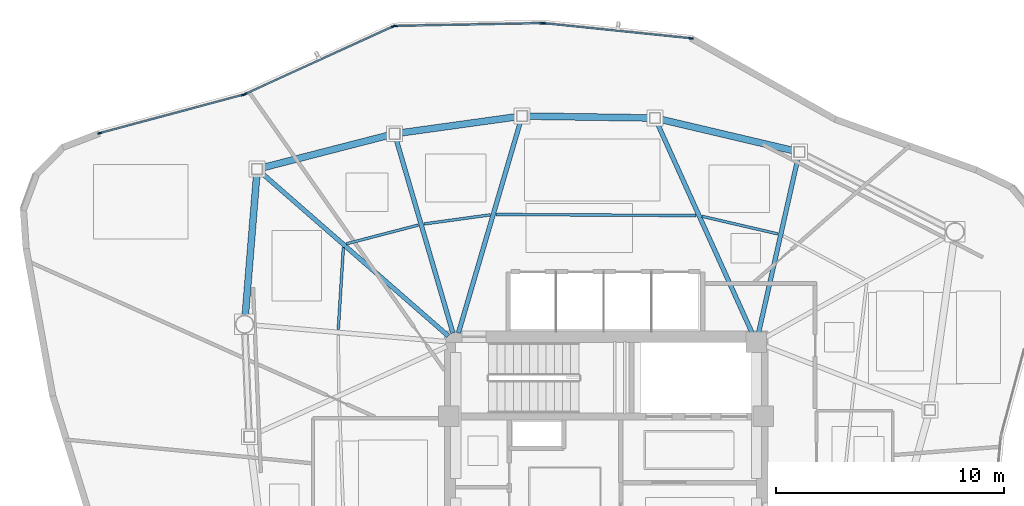
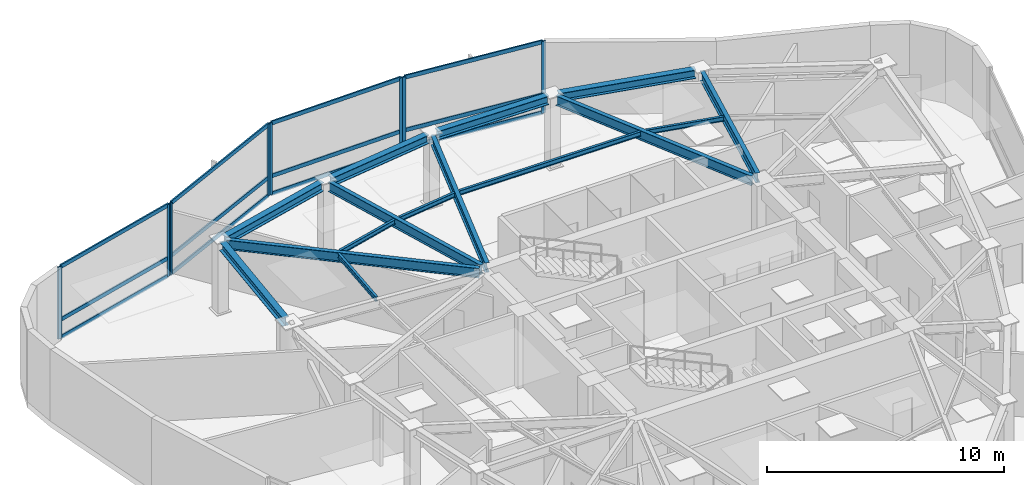
# One storey, part 5 of 12: 20 members, 15 beams, 4 elements without a shape of their own.
"""IFC4 building model written with IfcOpenShell, lengths in metres."""

import ifcopenshell
import ifcopenshell.guid

model = None  # the IFC model being written
_history = None  # IfcOwnerHistory: only IFC2X3 demands one
_inside = {}  # id of a spatial element -> (the spatial element, [elements in it])
_under = {}  # id of a project, library or spatial element -> (it, [spatial elements below it])
_declared = {}  # id of a project -> (the project, [libraries it declares])
_typed = {}  # id of a type object -> (the type object, [elements of that type])
_made_of = {}  # id of a material, layer set ... -> (it, [elements and type objects made of it])


def new_model(schema):
    """Start an empty IFC model of exactly this schema.

    Asked for "IFC4X3", IfcOpenShell would pick the latest addendum, in which some entities
    have other attributes; the version numbers below select the first issue.
    IFC2X3 requires an IfcOwnerHistory on every rooted entity: one is made here for all.
    """
    global model, _history
    if schema == "IFC4X3":
        model = ifcopenshell.file(schema_version=(4, 3, 0, 0))
    else:
        model = ifcopenshell.file(schema=schema)
    _inside.clear()
    _under.clear()
    _declared.clear()
    _typed.clear()
    _made_of.clear()
    _history = None
    if model.schema == "IFC2X3":
        org = make("IfcOrganization", Name="unknown")
        user = make(
            "IfcPersonAndOrganization",
            ThePerson=make("IfcPerson", FamilyName="unknown"),
            TheOrganization=org,
        )
        app = make(
            "IfcApplication",
            ApplicationDeveloper=org,
            Version="unknown",
            ApplicationFullName="unknown",
            ApplicationIdentifier="unknown",
        )
        _history = make(
            "IfcOwnerHistory",
            OwningUser=user,
            OwningApplication=app,
            ChangeAction="ADDED",
            CreationDate=0,
        )
    return model


def make(cls, **values):
    """One entity of the class cls with the attributes given. An attribute that is None is left unset."""
    return model.create_entity(
        cls, **{name: value for name, value in values.items() if value is not None}
    )


def rooted(cls, **values):
    """An entity with a GlobalId (a new one), such as an element, a storey or a relation."""
    return make(cls, GlobalId=ifcopenshell.guid.new(), OwnerHistory=_history, **values)


def si_unit(unit_type, name, prefix=None):
    """IfcSIUnit, for example si_unit("LENGTHUNIT", "METRE", prefix="MILLI")."""
    return make("IfcSIUnit", UnitType=unit_type, Prefix=prefix, Name=name)


def assignment(units):
    """IfcUnitAssignment: the units of a project."""
    return None if units is None else make("IfcUnitAssignment", Units=units)


def point(xyz):
    """IfcCartesianPoint."""
    return None if xyz is None else make("IfcCartesianPoint", Coordinates=xyz)


def direction(xyz):
    """IfcDirection."""
    return None if xyz is None else make("IfcDirection", DirectionRatios=xyz)


def frame(location, z_axis=None, x_axis=None):
    """IfcAxis2Placement3D, a coordinate frame: its origin and axes. An axis left out is left unset."""
    return make(
        "IfcAxis2Placement3D",
        Location=point(location),
        Axis=direction(z_axis),
        RefDirection=direction(x_axis),
    )


def frame_2d(location, x_axis=None):
    """IfcAxis2Placement2D, a coordinate frame in the plane: its origin and x axis."""
    return make(
        "IfcAxis2Placement2D", Location=point(location), RefDirection=direction(x_axis)
    )


def origin():
    """The frame at (0, 0, 0) with its axes left unset."""
    return frame((0.0, 0.0, 0.0))


def origin_2d():
    """The frame at (0, 0) in the plane with its x axis left unset."""
    return frame_2d((0.0, 0.0))


def place(relative_to, where):
    """IfcLocalPlacement: puts the frame where relative to a parent placement (None: the world)."""
    return make(
        "IfcLocalPlacement", PlacementRelTo=relative_to, RelativePlacement=where
    )


def context(
    kind, dimensions, precision=None, world=None, true_north=None, identifier=None
):
    """IfcGeometricRepresentationContext, for example the 3D "Model" context."""
    return make(
        "IfcGeometricRepresentationContext",
        ContextIdentifier=identifier,
        ContextType=kind,
        CoordinateSpaceDimension=dimensions,
        Precision=precision,
        WorldCoordinateSystem=world,
        TrueNorth=true_north,
    )


def subcontext(parent, identifier, kind, view, scale=None):
    """IfcGeometricRepresentationSubContext, for example "Body" below "Model"."""
    return make(
        "IfcGeometricRepresentationSubContext",
        ContextIdentifier=identifier,
        ContextType=kind,
        ParentContext=parent,
        TargetScale=scale,
        TargetView=view,
    )


def project(units=None, contexts=None):
    """IfcProject with its units and contexts."""
    return rooted(
        "IfcProject",
        Name="project",
        RepresentationContexts=contexts,
        UnitsInContext=assignment(units),
    )


def spatial(cls, under=None, at=None, **own):
    """A site, building, storey or space (cls), placed at a placement, below another one or the project."""
    s = rooted(cls, ObjectPlacement=at, **own)
    if under is not None:
        _under.setdefault(under.id(), (under, []))[1].append(s)
    return s


def profile(cls, at=None, kind="AREA", **sizes):
    """A parametric profile (cls). Its sizes go by their IFC names, for example OverallWidth=200.0."""
    return make(cls, ProfileType=kind, Position=at, **sizes)


def hollow_rectangle(**sizes):
    """IfcRectangleHollowProfileDef."""
    return profile("IfcRectangleHollowProfileDef", **sizes)


def i_section(**sizes):
    """IfcIShapeProfileDef."""
    return profile("IfcIShapeProfileDef", **sizes)


def extrude(swept, where, along, depth):
    """IfcExtrudedAreaSolid: the profile swept, set in the frame where, extruded along a direction by depth."""
    return make(
        "IfcExtrudedAreaSolid",
        SweptArea=swept,
        Position=where,
        ExtrudedDirection=direction(along),
        Depth=depth,
    )


def shape(context_of_items, identifier, shape_type, items):
    """IfcShapeRepresentation: the items that make up one representation, for example the "Body"."""
    return make(
        "IfcShapeRepresentation",
        ContextOfItems=context_of_items,
        RepresentationIdentifier=identifier,
        RepresentationType=shape_type,
        Items=items,
    )


def source(mapping_origin, context_of_items, identifier, shape_type, items):
    """IfcRepresentationMap: a shape defined once, which mapped items show again and again."""
    return make(
        "IfcRepresentationMap",
        MappingOrigin=mapping_origin,
        MappedRepresentation=shape(context_of_items, identifier, shape_type, items),
    )


def transform(
    local_origin,
    x_axis=None,
    y_axis=None,
    z_axis=None,
    scale=None,
    scale2=None,
    scale3=None,
    uniform=True,
):
    """IfcCartesianTransformationOperator3D, or its non-uniform kind. x_axis, y_axis, z_axis: its Axis1, 2, 3."""
    if uniform:
        return make(
            "IfcCartesianTransformationOperator3D",
            Axis1=direction(x_axis),
            Axis2=direction(y_axis),
            LocalOrigin=point(local_origin),
            Scale=scale,
            Axis3=direction(z_axis),
        )
    return make(
        "IfcCartesianTransformationOperator3DnonUniform",
        Axis1=direction(x_axis),
        Axis2=direction(y_axis),
        LocalOrigin=point(local_origin),
        Scale=scale,
        Axis3=direction(z_axis),
        Scale2=scale2,
        Scale3=scale3,
    )


def mapped(mapping_source, mapping_target):
    """IfcMappedItem: shows the shape of a source again, moved by a transform."""
    return make(
        "IfcMappedItem", MappingSource=mapping_source, MappingTarget=mapping_target
    )


def material(Name=None, Category=None):
    """IfcMaterial."""
    return make("IfcMaterial", Name=Name, Category=Category)


def layer(
    of_material, thickness, ventilated=None, Name=None, Category=None, Priority=None
):
    """IfcMaterialLayer: one layer of a wall or slab, of a material (None: an air gap)."""
    return make(
        "IfcMaterialLayer",
        Material=of_material,
        LayerThickness=thickness,
        IsVentilated=ventilated,
        Name=Name,
        Category=Category,
        Priority=Priority,
    )


def layer_set(layers, Name=None):
    """IfcMaterialLayerSet."""
    return make("IfcMaterialLayerSet", MaterialLayers=layers, LayerSetName=Name)


def material_profile(
    of_material, cross_section, Name=None, Category=None, Priority=None
):
    """IfcMaterialProfile: a cross section and its material."""
    return make(
        "IfcMaterialProfile",
        Name=Name,
        Material=of_material,
        Profile=cross_section,
        Priority=Priority,
        Category=Category,
    )


def profile_set(profiles, Name=None, composite=None):
    """IfcMaterialProfileSet."""
    return make(
        "IfcMaterialProfileSet",
        Name=Name,
        MaterialProfiles=profiles,
        CompositeProfile=composite,
    )


def made_of(thing, what):
    """Note that an element or type object is made of a material, layer set ...; save() writes the relation."""
    if what is not None:
        _made_of.setdefault(what.id(), (what, []))[1].append(thing)
    return thing


def type_object(cls, material=None, **own):
    """A type object (cls), such as IfcWallType, which elements share."""
    return made_of(rooted(cls, **own), material)


def type_shapes(of_type, sources):
    """Give a type object the sources (RepresentationMaps) that its elements show as mapped items."""
    of_type.RepresentationMaps = sources


def element(
    cls,
    number,
    at=None,
    inside=None,
    cuts=None,
    type_object=None,
    material=None,
    context=None,
    identifier="Body",
    shape_type=None,
    held_by="IfcProductDefinitionShape",
    body=None,
    shapes=None,
    **own,
):
    """One element of the class cls, such as IfcWall. Its Tag is "e" and its number.

    at: its placement. inside: the storey or other place that contains it. cuts: it is an
    opening in that element (IfcRelVoidsElement). A single representation is given by context,
    identifier, shape_type and body (its items); several are given by shapes. held_by: the class
    of the entity that holds the representations. save() writes the other relations.
    """
    e = rooted(cls, Tag="e%d" % number, ObjectPlacement=at, **own)
    if body is not None:
        shapes = [shape(context, identifier, shape_type, body)]
    if shapes is not None:
        e.Representation = make(held_by, Representations=shapes)
    if inside is not None:
        _inside.setdefault(inside.id(), (inside, []))[1].append(e)
    if cuts is not None:
        rooted(
            "IfcRelVoidsElement", RelatingBuildingElement=cuts, RelatedOpeningElement=e
        )
    if type_object is not None:
        _typed.setdefault(type_object.id(), (type_object, []))[1].append(e)
    return made_of(e, material)


def aggregate(whole, parts):
    """IfcRelAggregates: a whole, such as a stair, and the parts it consists of."""
    return rooted("IfcRelAggregates", RelatingObject=whole, RelatedObjects=parts)


def save(model, path):
    """Write the relations noted so far, then the file.

    IfcRelAggregates (storeys below a building ...), IfcRelContainedInSpatialStructure (elements
    in a storey), IfcRelDefinesByType, IfcRelAssociatesMaterial and IfcRelDeclares: one each for
    every whole, place, type object, material and project.
    """
    for whole, parts in _under.values():
        aggregate(whole, parts)
    for where, things in _inside.values():
        rooted(
            "IfcRelContainedInSpatialStructure",
            RelatedElements=things,
            RelatingStructure=where,
        )
    for kind, things in _typed.values():
        rooted("IfcRelDefinesByType", RelatedObjects=things, RelatingType=kind)
    for what, things in _made_of.values():
        rooted("IfcRelAssociatesMaterial", RelatedObjects=things, RelatingMaterial=what)
    for by, libraries in _declared.values():
        rooted("IfcRelDeclares", RelatingContext=by, RelatedDefinitions=libraries)
    model.write(path)


model = new_model("IFC4")

# Units and contexts
model_context = context("Model", 3, precision=1e-05, world=origin(), true_north=direction((0.0, 1.0)))
body_context = subcontext(model_context, "Body", "Model", "MODEL_VIEW")
ifc_project = project(units=[si_unit("LENGTHUNIT", "METRE"), si_unit("AREAUNIT", "SQUARE_METRE"), si_unit("VOLUMEUNIT", "CUBIC_METRE"), si_unit("PLANEANGLEUNIT", "RADIAN"), si_unit("MASSUNIT", "GRAM", prefix="KILO")], contexts=[model_context])

# Site, building, storey
site_placement = place(None, origin())
site = spatial("IfcSite", under=ifc_project, at=site_placement, CompositionType="ELEMENT")
building_placement = place(site_placement, origin())
building = spatial("IfcBuilding", under=site, at=building_placement, Name="Tavelor Broadcast Tower", CompositionType="ELEMENT")
storey_placement = place(building_placement, frame((0.0, 0.0, 285.5)))
storey = spatial("IfcBuildingStorey", under=building, at=storey_placement, Name="L68", CompositionType="ELEMENT", Elevation=285.5)

# Beams
ifc_material_1 = material(Name="Steel S355", Category="steel")
ifc_material_profile_1 = material_profile(ifc_material_1, i_section(OverallWidth=0.1201171875, OverallDepth=0.239990234375, WebThickness=0.006103515625, FlangeThickness=0.009765625, at=origin_2d()), Name="IPE 240")
ifc_profile_set_1 = profile_set([ifc_material_profile_1], Name="Steel S355")
beam_type_1 = type_object("IfcBeamType", Name="Composite Floor Joist T7 IPE 240", PredefinedType="JOIST", material=ifc_profile_set_1)
beam_1_placement = place(storey_placement, frame((57.54248046875, 55.96337890625, 3.580078125), z_axis=(-0.974044982297, 0.226354528257, 0.0), x_axis=(-0.226354528257, -0.974044982297, 0.0)))
element("IfcBeam", 1, at=beam_1_placement, inside=storey, type_object=beam_type_1, Name="L68 Secondary Composite Floor Joist 14", PredefinedType="JOIST", context=body_context, shape_type="SweptSolid", body=[
    extrude(i_section(OverallWidth=0.1201171875, OverallDepth=0.239990234375, WebThickness=0.006103515625, FlangeThickness=0.009765625, at=origin_2d()), origin(), (0.0, 0.0, 1.0), 3.42236328125),
])
beam_2_placement = place(storey_placement, frame((53.954345703125, 56.76806640625, 3.580078125), z_axis=(-0.999984057593, 0.005646641549, 0.0), x_axis=(-0.005646641549, -0.999984057593, 0.0)))
element("IfcBeam", 2, at=beam_2_placement, inside=storey, type_object=beam_type_1, Name="L68 Secondary Composite Floor Joist 15", PredefinedType="JOIST", context=body_context, shape_type="SweptSolid", body=[
    extrude(i_section(OverallWidth=0.1201171875, OverallDepth=0.239990234375, WebThickness=0.006103515625, FlangeThickness=0.009765625, at=origin_2d()), origin(), (0.0, 0.0, 1.0), 8.777099609375),
])
beam_3_placement = place(storey_placement, frame((44.920654296875, 56.80078125, 3.580078125), z_axis=(-0.990691592416, -0.136125562317, 0.0), x_axis=(0.136125562317, -0.990691592416, 0.0)))
element("IfcBeam", 3, at=beam_3_placement, inside=storey, type_object=beam_type_1, Name="L68 Secondary Composite Floor Joist 16", PredefinedType="JOIST", context=body_context, shape_type="SweptSolid", body=[
    extrude(i_section(OverallWidth=0.1201171875, OverallDepth=0.239990234375, WebThickness=0.006103515625, FlangeThickness=0.009765625, at=origin_2d()), origin(), (0.0, 0.0, 1.0), 2.937744140625),
])
beam_4_placement = place(storey_placement, frame((41.757568359375, 56.35107421875, 3.580078125), z_axis=(-0.967742888196, -0.251939878435, 0.0), x_axis=(0.251939878435, -0.967742888196, 0.0)))
element("IfcBeam", 4, at=beam_4_placement, inside=storey, type_object=beam_type_1, Name="L68 Secondary Composite Floor Joist 17", PredefinedType="JOIST", context=body_context, shape_type="SweptSolid", body=[
    extrude(i_section(OverallWidth=0.1201171875, OverallDepth=0.239990234375, WebThickness=0.006103515625, FlangeThickness=0.009765625, at=origin_2d()), origin(), (0.0, 0.0, 1.0), 3.2578125),
])
beam_5_placement = place(storey_placement, frame((38.471923828125, 55.368896484375, 3.580078125), z_axis=(-0.062188497897, -0.998064422134, 0.0), x_axis=(0.998064422134, -0.062188497897, 0.0)))
element("IfcBeam", 5, at=beam_5_placement, inside=storey, type_object=beam_type_1, Name="L68 Secondary Composite Floor Joist 18", PredefinedType="JOIST", context=body_context, shape_type="SweptSolid", body=[
    extrude(i_section(OverallWidth=0.1201171875, OverallDepth=0.239990234375, WebThickness=0.006103515625, FlangeThickness=0.009765625, at=origin_2d()), origin(), (0.0, 0.0, 1.0), 3.60400390625),
])
ifc_material_profile_2 = material_profile(ifc_material_1, i_section(OverallWidth=0.300048828125, OverallDepth=0.43994140625, WebThickness=0.011474609375, FlangeThickness=0.02099609375, at=origin_2d()), Name="HEA 450")
ifc_profile_set_2 = profile_set([ifc_material_profile_2], Name="Steel S355")
beam_type_2 = type_object("IfcBeamType", Name="Perimeter Spandrel Beam T7 HEA 450", PredefinedType="SPANDREL", material=ifc_profile_set_2)
beam_6_placement = place(storey_placement, frame((58.251953125, 59.6123046875, 3.47998046875), z_axis=(-0.973341210947, 0.229361912863, 0.0), x_axis=(-0.229361912863, -0.973341210947, 0.0)))
element("IfcBeam", 6, at=beam_6_placement, inside=storey, type_object=beam_type_2, Name="L68 Framed-Tube Ring Spandrel 14", PredefinedType="SPANDREL", context=body_context, shape_type="SweptSolid", body=[
    extrude(i_section(OverallWidth=0.300048828125, OverallDepth=0.43994140625, WebThickness=0.011474609375, FlangeThickness=0.02099609375, at=origin_2d()), origin(), (0.0, 0.0, 1.0), 6.0322265625),
])
beam_7_placement = place(storey_placement, frame((51.906982421875, 61.054443359375, 3.47998046875), z_axis=(-0.999890103457, 0.014825012939, 0.0), x_axis=(-0.014825012939, -0.999890103457, 0.0)))
element("IfcBeam", 7, at=beam_7_placement, inside=storey, type_object=beam_type_2, Name="L68 Framed-Tube Ring Spandrel 15", PredefinedType="SPANDREL", context=body_context, shape_type="SweptSolid", body=[
    extrude(i_section(OverallWidth=0.300048828125, OverallDepth=0.43994140625, WebThickness=0.011474609375, FlangeThickness=0.02099609375, at=origin_2d()), origin(), (0.0, 0.0, 1.0), 5.35205078125),
])
beam_8_placement = place(storey_placement, frame((46.077880859375, 61.104248046875, 3.47998046875), z_axis=(-0.99051816585, -0.137381815101, 0.0), x_axis=(0.137381815101, -0.99051816585, 0.0)))
element("IfcBeam", 8, at=beam_8_placement, inside=storey, type_object=beam_type_2, Name="L68 Framed-Tube Ring Spandrel 16", PredefinedType="SPANDREL", context=body_context, shape_type="SweptSolid", body=[
    extrude(i_section(OverallWidth=0.300048828125, OverallDepth=0.43994140625, WebThickness=0.011474609375, FlangeThickness=0.02099609375, at=origin_2d()), origin(), (0.0, 0.0, 1.0), 5.17138671875),
])
beam_9_placement = place(storey_placement, frame((40.485595703125, 60.301025390625, 3.47998046875), z_axis=(-0.968436978706, -0.249258537014, 0.0), x_axis=(0.249258537014, -0.968436978706, 0.0)))
element("IfcBeam", 9, at=beam_9_placement, inside=storey, type_object=beam_type_2, Name="L68 Framed-Tube Ring Spandrel 17", PredefinedType="SPANDREL", context=body_context, shape_type="SweptSolid", body=[
    extrude(i_section(OverallWidth=0.300048828125, OverallDepth=0.43994140625, WebThickness=0.011474609375, FlangeThickness=0.02099609375, at=origin_2d()), origin(), (0.0, 0.0, 1.0), 5.74560546875),
])
beam_10_placement = place(storey_placement, frame((34.669677734375, 58.56982421875, 3.47998046875), z_axis=(-0.081085240328, -0.996707170538, 0.0), x_axis=(0.996707170538, -0.081085240328, 0.0)))
element("IfcBeam", 10, at=beam_10_placement, inside=storey, type_object=beam_type_2, Name="L68 Framed-Tube Ring Spandrel 18", PredefinedType="SPANDREL", context=body_context, shape_type="SweptSolid", body=[
    extrude(i_section(OverallWidth=0.300048828125, OverallDepth=0.43994140625, WebThickness=0.011474609375, FlangeThickness=0.02099609375, at=origin_2d()), origin(), (0.0, 0.0, 1.0), 6.20556640625),
])
ifc_material_profile_3 = material_profile(ifc_material_1, i_section(OverallWidth=0.199951171875, OverallDepth=0.5, WebThickness=0.01025390625, FlangeThickness=0.01611328125, at=origin_2d()), Name="IPE 500")
ifc_profile_set_3 = profile_set([ifc_material_profile_3], Name="Steel S355")
beam_type_3 = type_object("IfcBeamType", Name="Radial Floor Girder T7 IPE 500", PredefinedType="BEAM", material=ifc_profile_set_3)
beam_11_placement = place(storey_placement, frame((56.695068359375, 51.621337890625, 3.449951171875), z_axis=(0.22010521598, 0.975476137021, 0.0), x_axis=(-0.975476137021, 0.22010521598, 0.0)))
element("IfcBeam", 11, at=beam_11_placement, inside=storey, type_object=beam_type_3, Name="L68 Radial Primary Floor Girder 14", PredefinedType="BEAM", context=body_context, shape_type="SweptSolid", body=[
    extrude(i_section(OverallWidth=0.199951171875, OverallDepth=0.5, WebThickness=0.01025390625, FlangeThickness=0.01611328125, at=origin_2d()), origin(), (0.0, 0.0, 1.0), 7.895263671875),
])
beam_12_placement = place(storey_placement, frame((56.422119140625, 51.59375, 3.449951171875), z_axis=(-0.411897039455, 0.911230392869, 0.0), x_axis=(-0.911230392869, -0.411897039455, 0.0)))
element("IfcBeam", 12, at=beam_12_placement, inside=storey, type_object=beam_type_3, Name="L68 Radial Primary Floor Girder 15", PredefinedType="BEAM", context=body_context, shape_type="SweptSolid", body=[
    extrude(i_section(OverallWidth=0.199951171875, OverallDepth=0.5, WebThickness=0.01025390625, FlangeThickness=0.01611328125, at=origin_2d()), origin(), (0.0, 0.0, 1.0), 10.138427734375),
])
beam_13_placement = place(storey_placement, frame((43.521484375, 51.614501953125, 3.449951171875), z_axis=(0.281523398042, 0.959554363418, 0.0), x_axis=(-0.959554363418, 0.281523398042, 0.0)))
element("IfcBeam", 13, at=beam_13_placement, inside=storey, type_object=beam_type_3, Name="L68 Radial Primary Floor Girder 16", PredefinedType="BEAM", context=body_context, shape_type="SweptSolid", body=[
    extrude(i_section(OverallWidth=0.199951171875, OverallDepth=0.5, WebThickness=0.01025390625, FlangeThickness=0.01611328125, at=origin_2d()), origin(), (0.0, 0.0, 1.0), 9.68408203125),
])
beam_14_placement = place(storey_placement, frame((43.278564453125, 51.614501953125, 3.449951171875), z_axis=(-0.280965508075, 0.959717866496, 0.0), x_axis=(-0.959717866496, -0.280965508075, 0.0)))
element("IfcBeam", 14, at=beam_14_placement, inside=storey, type_object=beam_type_3, Name="L68 Radial Primary Floor Girder 17", PredefinedType="BEAM", context=body_context, shape_type="SweptSolid", body=[
    extrude(i_section(OverallWidth=0.199951171875, OverallDepth=0.5, WebThickness=0.01025390625, FlangeThickness=0.01611328125, at=origin_2d()), origin(), (0.0, 0.0, 1.0), 8.87353515625),
])
beam_15_placement = place(storey_placement, frame((43.07470703125, 51.484130859375, 3.449951171875), z_axis=(-0.753133106232, 0.657868166351, 0.0), x_axis=(-0.657868166351, -0.753133106232, 0.0)))
element("IfcBeam", 15, at=beam_15_placement, inside=storey, type_object=beam_type_3, Name="L68 Radial Primary Floor Girder 18", PredefinedType="BEAM", context=body_context, shape_type="SweptSolid", body=[
    extrude(i_section(OverallWidth=0.199951171875, OverallDepth=0.5, WebThickness=0.01025390625, FlangeThickness=0.01611328125, at=origin_2d()), origin(), (0.0, 0.0, 1.0), 10.894287109375),
])

# Curtain wall, members
ifc_material_2 = material(Name="Architectural Anodized Aluminium", Category="aluminium")
ifc_layer = layer(ifc_material_2, 0.199951171875)
ifc_layer_set = layer_set([ifc_layer], Name="Architectural Anodized Aluminium")
curtain_wall_type = type_object("IfcCurtainWallType", Name="Tower High-Zone Triple-Glazed Curtain Wall CW04", PredefinedType="NOTDEFINED", material=ifc_layer_set)
curtain_wall_1_placement = place(storey_placement, origin())
curtain_wall_1 = element("IfcCurtainWall", 16, at=curtain_wall_1_placement, inside=storey, type_object=curtain_wall_type, Name="L68 Curtain Wall CW04 Run 753", PredefinedType="NOTDEFINED")
ifc_material_profile_4 = material_profile(ifc_material_2, hollow_rectangle(XDim=0.070068359375, YDim=0.199951171875, WallThickness=0.02197265625, at=origin_2d()), Name="RHS 70x200x22")
ifc_profile_set_4 = profile_set([ifc_material_profile_4], Name="Architectural Anodized Aluminium")
member_type_1 = type_object("IfcMemberType", Name="CW04 Extruded Aluminium Mullion 70x200", PredefinedType="MULLION", material=ifc_profile_set_4)
shared_shape_1 = source(origin(), body_context, "Body", "SweptSolid", [
    extrude(hollow_rectangle(XDim=0.070068359375, YDim=0.199951171875, WallThickness=0.02197265625, at=origin_2d()), origin(), (0.0, 0.0, 1.0), 3.699951171875),
])
type_shapes(member_type_1, [shared_shape_1])
member_1_placement = place(storey_placement, frame((53.722412109375, 64.546875, 0.0), z_axis=(0.0, 0.0, 1.0), x_axis=(-0.102352575269, -0.994748184384, 0.0)))
member_1 = element("IfcMember", 17, at=member_1_placement, type_object=member_type_1, Name="CW04 mullion 1", PredefinedType="MULLION", context=body_context, shape_type="MappedRepresentation", body=[
    mapped(shared_shape_1, transform((0.0, 0.0, 0.0), scale=1.0)),
])
member_2_placement = place(storey_placement, frame((47.296875, 65.2080078125, 0.0), z_axis=(0.0, 0.0, 1.0), x_axis=(-0.102352575269, -0.994748184384, 0.0)))
member_2 = element("IfcMember", 18, at=member_2_placement, type_object=member_type_1, Name="CW04 mullion 2", PredefinedType="MULLION", context=body_context, shape_type="MappedRepresentation", body=[
    mapped(shared_shape_1, transform((0.0, 0.0, 0.0), scale=1.0)),
])

curtain_wall_2_placement = place(storey_placement, origin())
curtain_wall_2 = element("IfcCurtainWall", 19, at=curtain_wall_2_placement, inside=storey, type_object=curtain_wall_type, Name="L68 Curtain Wall CW04 Run 754", PredefinedType="NOTDEFINED")
member_3_placement = place(storey_placement, frame((47.197265625, 65.212158203125, 0.0), z_axis=(0.0, 0.0, 1.0), x_axis=(0.018758309711, -0.999824047429, 0.0)))
member_3 = element("IfcMember", 20, at=member_3_placement, type_object=member_type_1, Name="CW04 mullion 1", PredefinedType="MULLION", context=body_context, shape_type="MappedRepresentation", body=[
    mapped(shared_shape_1, transform((0.0, 0.0, 0.0), scale=1.0)),
])
member_4_placement = place(storey_placement, frame((40.75390625, 65.09130859375, 0.0), z_axis=(0.0, 0.0, 1.0), x_axis=(0.018758309711, -0.999824047429, 0.0)))
member_4 = element("IfcMember", 21, at=member_4_placement, type_object=member_type_1, Name="CW04 mullion 2", PredefinedType="MULLION", context=body_context, shape_type="MappedRepresentation", body=[
    mapped(shared_shape_1, transform((0.0, 0.0, 0.0), scale=1.0)),
])

curtain_wall_3_placement = place(storey_placement, origin())
curtain_wall_3 = element("IfcCurtainWall", 22, at=curtain_wall_3_placement, inside=storey, type_object=curtain_wall_type, Name="L68 Curtain Wall CW04 Run 755", PredefinedType="NOTDEFINED")
member_5_placement = place(storey_placement, frame((40.658447265625, 65.069580078125, 0.0), z_axis=(0.0, 0.0, 1.0), x_axis=(0.415461652589, -0.909610694324, 0.0)))
member_5 = element("IfcMember", 23, at=member_5_placement, type_object=member_type_1, Name="CW04 mullion 1", PredefinedType="MULLION", context=body_context, shape_type="MappedRepresentation", body=[
    mapped(shared_shape_1, transform((0.0, 0.0, 0.0), scale=1.0)),
])
member_6_placement = place(storey_placement, frame((34.15966796875, 62.101318359375, 0.0), z_axis=(0.0, 0.0, 1.0), x_axis=(0.415461652589, -0.909610694324, 0.0)))
member_6 = element("IfcMember", 24, at=member_6_placement, type_object=member_type_1, Name="CW04 mullion 2", PredefinedType="MULLION", context=body_context, shape_type="MappedRepresentation", body=[
    mapped(shared_shape_1, transform((0.0, 0.0, 0.0), scale=1.0)),
])

curtain_wall_4_placement = place(storey_placement, origin())
curtain_wall_4 = element("IfcCurtainWall", 25, at=curtain_wall_4_placement, inside=storey, type_object=curtain_wall_type, Name="L68 Curtain Wall CW04 Run 756", PredefinedType="NOTDEFINED")
member_7_placement = place(storey_placement, frame((34.06591796875, 62.067626953125, 0.0), z_axis=(0.0, 0.0, 1.0), x_axis=(0.258433576236, -0.966029029933, 0.0)))
member_7 = element("IfcMember", 26, at=member_7_placement, type_object=member_type_1, Name="CW04 mullion 1", PredefinedType="MULLION", context=body_context, shape_type="MappedRepresentation", body=[
    mapped(shared_shape_1, transform((0.0, 0.0, 0.0), scale=1.0)),
])
member_8_placement = place(storey_placement, frame((27.78564453125, 60.387451171875, 0.0), z_axis=(0.0, 0.0, 1.0), x_axis=(0.258433576236, -0.966029029933, 0.0)))
member_8 = element("IfcMember", 27, at=member_8_placement, type_object=member_type_1, Name="CW04 mullion 2", PredefinedType="MULLION", context=body_context, shape_type="MappedRepresentation", body=[
    mapped(shared_shape_1, transform((0.0, 0.0, 0.0), scale=1.0)),
])

# Member
ifc_material_profile_5 = material_profile(ifc_material_2, hollow_rectangle(XDim=0.070068359375, YDim=0.199951171875, WallThickness=0.02197265625, at=origin_2d()), Name="RHS 70x200x22")
ifc_profile_set_5 = profile_set([ifc_material_profile_5], Name="Architectural Anodized Aluminium")
member_type_2 = type_object("IfcMemberType", Name="CW04 Extruded Aluminium Transom 70x200", PredefinedType="USERDEFINED", material=ifc_profile_set_5)
shared_shape_2 = source(origin(), body_context, "Body", "SweptSolid", [
    extrude(hollow_rectangle(XDim=0.070068359375, YDim=0.199951171875, WallThickness=0.02197265625, at=origin_2d()), origin(), (0.0, 0.0, 1.0), 6.38916015625),
])
member_9_placement = place(storey_placement, frame((53.6875, 64.550537109375, 0.034912109375), z_axis=(-0.99475056574, 0.102329428612, 0.0), x_axis=(-0.102329428612, -0.99475056574, 0.0)))
member_9 = element("IfcMember", 28, at=member_9_placement, type_object=member_type_2, Name="CW04 transom 1.1", ObjectType="TRANSOM", PredefinedType="USERDEFINED", context=body_context, shape_type="MappedRepresentation", body=[
    mapped(shared_shape_2, transform((0.0, 0.0, 0.0), scale=1.0)),
])

member_10_placement = place(storey_placement, frame((53.6875, 64.550537109375, 0.949951171875), z_axis=(-0.99475056574, 0.102329428612, 0.0), x_axis=(-0.102329428612, -0.99475056574, 0.0)))
member_10 = element("IfcMember", 29, at=member_10_placement, type_object=member_type_2, Name="CW04 transom 1.2", ObjectType="TRANSOM", PredefinedType="USERDEFINED", context=body_context, shape_type="MappedRepresentation", body=[
    mapped(shared_shape_2, transform((0.0, 0.0, 0.0), scale=1.0)),
])

member_11_placement = place(storey_placement, frame((53.6875, 64.550537109375, 3.6650390625), z_axis=(-0.99475056574, 0.102329428612, 0.0), x_axis=(-0.102329428612, -0.99475056574, 0.0)))
member_11 = element("IfcMember", 30, at=member_11_placement, type_object=member_type_2, Name="CW04 transom 1.3", ObjectType="TRANSOM", PredefinedType="USERDEFINED", context=body_context, shape_type="MappedRepresentation", body=[
    mapped(shared_shape_2, transform((0.0, 0.0, 0.0), scale=1.0)),
])

aggregate(curtain_wall_1, [member_1, member_2, member_9, member_10, member_11])

shared_shape_3 = source(origin(), body_context, "Body", "SweptSolid", [
    extrude(hollow_rectangle(XDim=0.070068359375, YDim=0.199951171875, WallThickness=0.02197265625, at=origin_2d()), origin(), (0.0, 0.0, 1.0), 6.37451171875),
])
member_12_placement = place(storey_placement, frame((47.162109375, 65.211669921875, 0.034912109375), z_axis=(-0.999823883507, -0.018767044739, 0.0), x_axis=(0.018767044739, -0.999823883507, 0.0)))
member_12 = element("IfcMember", 31, at=member_12_placement, type_object=member_type_2, Name="CW04 transom 1.1", ObjectType="TRANSOM", PredefinedType="USERDEFINED", context=body_context, shape_type="MappedRepresentation", body=[
    mapped(shared_shape_3, transform((0.0, 0.0, 0.0), scale=1.0)),
])

member_13_placement = place(storey_placement, frame((47.162109375, 65.211669921875, 0.949951171875), z_axis=(-0.999823883507, -0.018767044739, 0.0), x_axis=(0.018767044739, -0.999823883507, 0.0)))
member_13 = element("IfcMember", 32, at=member_13_placement, type_object=member_type_2, Name="CW04 transom 1.2", ObjectType="TRANSOM", PredefinedType="USERDEFINED", context=body_context, shape_type="MappedRepresentation", body=[
    mapped(shared_shape_3, transform((0.0, 0.0, 0.0), scale=1.0)),
])

member_14_placement = place(storey_placement, frame((47.162109375, 65.211669921875, 3.6650390625), z_axis=(-0.999823883507, -0.018767044739, 0.0), x_axis=(0.018767044739, -0.999823883507, 0.0)))
member_14 = element("IfcMember", 33, at=member_14_placement, type_object=member_type_2, Name="CW04 transom 1.3", ObjectType="TRANSOM", PredefinedType="USERDEFINED", context=body_context, shape_type="MappedRepresentation", body=[
    mapped(shared_shape_3, transform((0.0, 0.0, 0.0), scale=1.0)),
])

aggregate(curtain_wall_2, [member_3, member_4, member_12, member_13, member_14])

shared_shape_4 = source(origin(), body_context, "Body", "SweptSolid", [
    extrude(hollow_rectangle(XDim=0.070068359375, YDim=0.199951171875, WallThickness=0.02197265625, at=origin_2d()), origin(), (0.0, 0.0, 1.0), 7.07470703125),
])
member_15_placement = place(storey_placement, frame((40.626708984375, 65.054931640625, 0.034912109375), z_axis=(-0.909615720135, -0.415450648913, 0.0), x_axis=(0.415450648913, -0.909615720135, 0.0)))
member_15 = element("IfcMember", 34, at=member_15_placement, type_object=member_type_2, Name="CW04 transom 1.1", ObjectType="TRANSOM", PredefinedType="USERDEFINED", context=body_context, shape_type="MappedRepresentation", body=[
    mapped(shared_shape_4, transform((0.0, 0.0, 0.0), scale=1.0)),
])

member_16_placement = place(storey_placement, frame((40.626708984375, 65.054931640625, 0.949951171875), z_axis=(-0.909615720135, -0.415450648913, 0.0), x_axis=(0.415450648913, -0.909615720135, 0.0)))
member_16 = element("IfcMember", 35, at=member_16_placement, type_object=member_type_2, Name="CW04 transom 1.2", ObjectType="TRANSOM", PredefinedType="USERDEFINED", context=body_context, shape_type="MappedRepresentation", body=[
    mapped(shared_shape_4, transform((0.0, 0.0, 0.0), scale=1.0)),
])

member_17_placement = place(storey_placement, frame((40.626708984375, 65.054931640625, 3.6650390625), z_axis=(-0.909615720135, -0.415450648913, 0.0), x_axis=(0.415450648913, -0.909615720135, 0.0)))
member_17 = element("IfcMember", 36, at=member_17_placement, type_object=member_type_2, Name="CW04 transom 1.3", ObjectType="TRANSOM", PredefinedType="USERDEFINED", context=body_context, shape_type="MappedRepresentation", body=[
    mapped(shared_shape_4, transform((0.0, 0.0, 0.0), scale=1.0)),
])

aggregate(curtain_wall_3, [member_5, member_6, member_15, member_16, member_17])

shared_shape_5 = source(origin(), body_context, "Body", "SweptSolid", [
    extrude(hollow_rectangle(XDim=0.070068359375, YDim=0.199951171875, WallThickness=0.02197265625, at=origin_2d()), origin(), (0.0, 0.0, 1.0), 6.43115234375),
])
type_shapes(member_type_2, [shared_shape_2, shared_shape_3, shared_shape_4, shared_shape_5])
member_18_placement = place(storey_placement, frame((34.031982421875, 62.05859375, 0.034912109375), z_axis=(-0.966025434983, -0.258447013847, 0.0), x_axis=(0.258447013847, -0.966025434983, 0.0)))
member_18 = element("IfcMember", 37, at=member_18_placement, type_object=member_type_2, Name="CW04 transom 1.1", ObjectType="TRANSOM", PredefinedType="USERDEFINED", context=body_context, shape_type="MappedRepresentation", body=[
    mapped(shared_shape_5, transform((0.0, 0.0, 0.0), scale=1.0)),
])

member_19_placement = place(storey_placement, frame((34.031982421875, 62.05859375, 0.949951171875), z_axis=(-0.966025434983, -0.258447013847, 0.0), x_axis=(0.258447013847, -0.966025434983, 0.0)))
member_19 = element("IfcMember", 38, at=member_19_placement, type_object=member_type_2, Name="CW04 transom 1.2", ObjectType="TRANSOM", PredefinedType="USERDEFINED", context=body_context, shape_type="MappedRepresentation", body=[
    mapped(shared_shape_5, transform((0.0, 0.0, 0.0), scale=1.0)),
])

member_20_placement = place(storey_placement, frame((34.031982421875, 62.05859375, 3.6650390625), z_axis=(-0.966025434983, -0.258447013847, 0.0), x_axis=(0.258447013847, -0.966025434983, 0.0)))
member_20 = element("IfcMember", 39, at=member_20_placement, type_object=member_type_2, Name="CW04 transom 1.3", ObjectType="TRANSOM", PredefinedType="USERDEFINED", context=body_context, shape_type="MappedRepresentation", body=[
    mapped(shared_shape_5, transform((0.0, 0.0, 0.0), scale=1.0)),
])

aggregate(curtain_wall_4, [member_7, member_8, member_18, member_19, member_20])

save(model, "model.ifc")
